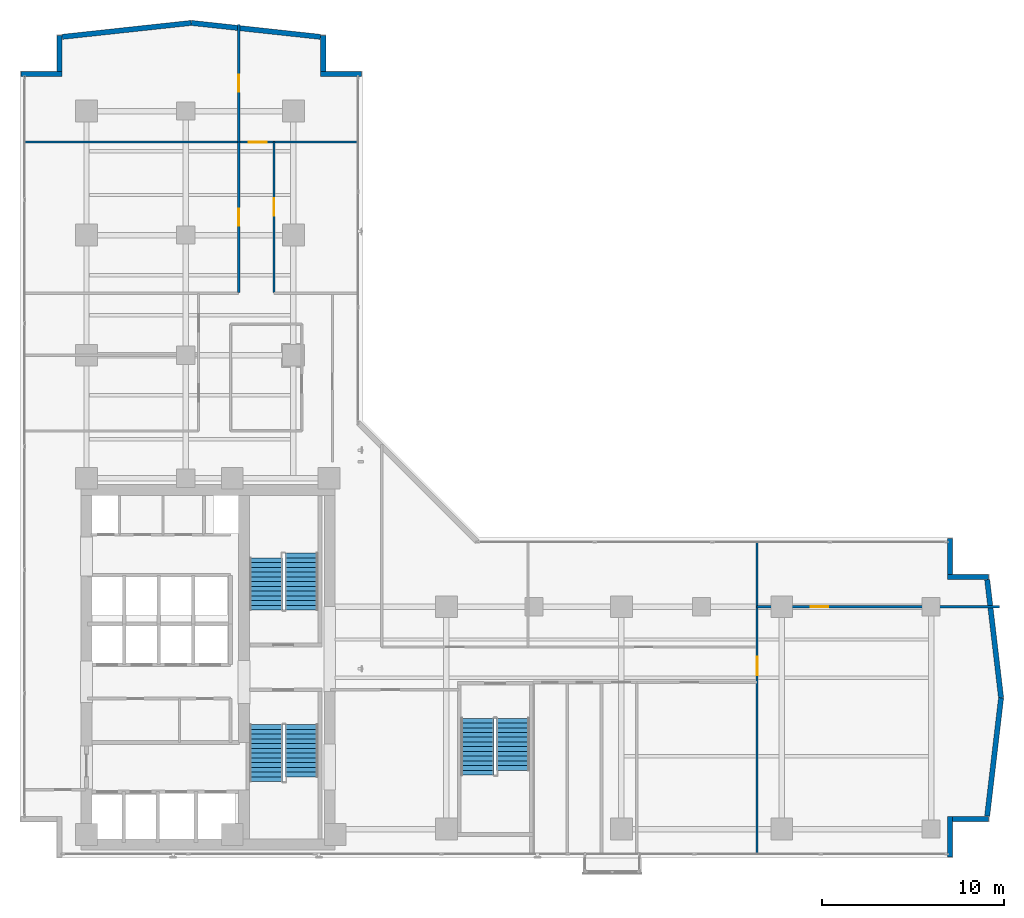
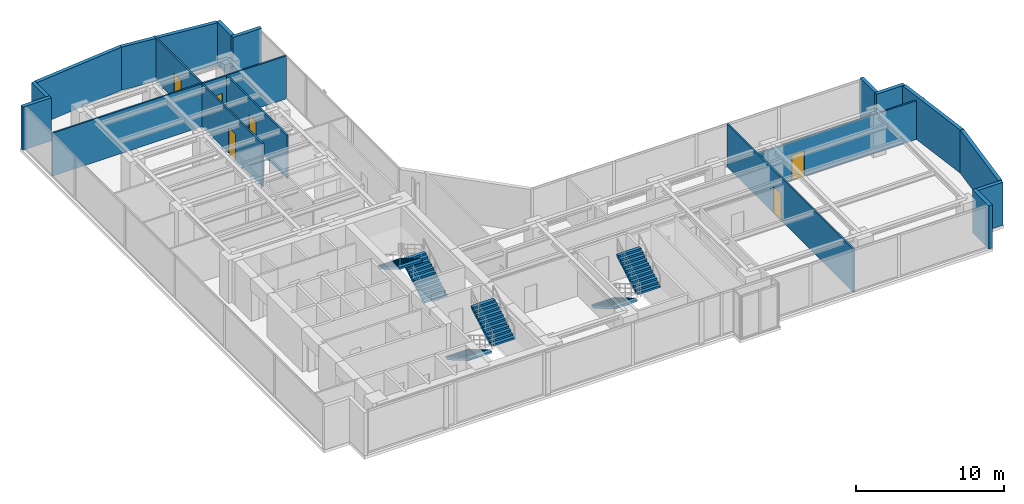
# One storey, part 22 of 27: 18 walls, 6 doors, 6 stair flights, 6 openings, 3 elements without a shape of their own.
"""IFC4 building model written with IfcOpenShell, lengths in metres."""

from ifc_helpers import new_model, si_unit, direction, frame, frame_2d, origin, place, context, subcontext, project, spatial, polyline, rectangle, outline, extrude, material, layer, layer_set, type_object, element, fill, aggregate, save


model = new_model("IFC4")

# Units and contexts
model_context = context("Model", 3, precision=1e-05, world=origin(), true_north=direction((0.0, 1.0)))
body_context = subcontext(model_context, "Body", "Model", "MODEL_VIEW")
ifc_project = project(units=[si_unit("LENGTHUNIT", "METRE"), si_unit("AREAUNIT", "SQUARE_METRE"), si_unit("VOLUMEUNIT", "CUBIC_METRE"), si_unit("PLANEANGLEUNIT", "RADIAN"), si_unit("MASSUNIT", "GRAM", prefix="KILO")], contexts=[model_context])

# Site, building, storey
site_placement = place(None, origin())
site = spatial("IfcSite", under=ifc_project, at=site_placement, CompositionType="ELEMENT")
building_placement = place(site_placement, origin())
building = spatial("IfcBuilding", under=site, at=building_placement, Name="Kolvaren Waterfront Exchange", CompositionType="ELEMENT")
storey_placement = place(building_placement, frame((0.0, 0.0, 161.39990234375)))
storey = spatial("IfcBuildingStorey", under=building, at=storey_placement, Name="L41", CompositionType="ELEMENT", Elevation=161.39990234375)

# Walls
ifc_material_1 = material(Name="Precast concrete C40/50", Category="concrete")
ifc_layer_1 = layer(ifc_material_1, 0.280029296875, Name="Precast concrete C40/50")
ifc_layer_set_1 = layer_set([ifc_layer_1], Name="Precast concrete C40/50")
wall_type_1 = type_object("IfcWallType", Name="ARC-EXT-TERR-280", PredefinedType="SOLIDWALL", material=ifc_layer_set_1)
wall_1_placement = place(storey_placement, frame((54.840087890625, 3.659912109375, 0.0), z_axis=(0.0, 0.0, 1.0), x_axis=(0.0, 1.0, 0.0)))
element("IfcWall", 1, at=wall_1_placement, inside=storey, type_object=wall_type_1, Name="L41 notched corner spandrel pier SE-A", PredefinedType="SOLIDWALL", context=body_context, shape_type="SweptSolid", body=[
    extrude(rectangle(XDim=2.239990234375, YDim=0.280029296875, at=frame_2d((1.1201171875, 0.0))), origin(), (0.0, 0.0, 1.0), 3.56005859375),
])
wall_2_placement = place(storey_placement, frame((54.97998046875, 5.760009765625, 0.0), z_axis=(0.0, 0.0, 1.0), x_axis=(1.0, 0.0, 0.0)))
element("IfcWall", 2, at=wall_2_placement, inside=storey, type_object=wall_type_1, Name="L41 notched corner spandrel pier SE-B", PredefinedType="SOLIDWALL", context=body_context, shape_type="SweptSolid", body=[
    extrude(rectangle(XDim=1.9599609375, YDim=0.280029296875, at=frame_2d((0.97998046875, 0.0))), origin(), (0.0, 0.0, 1.0), 3.56005859375),
])
wall_3_placement = place(storey_placement, frame((54.840087890625, 19.1650390625, 0.0), z_axis=(0.0, 0.0, 1.0), x_axis=(0.0, 1.0, 0.0)))
element("IfcWall", 3, at=wall_3_placement, inside=storey, type_object=wall_type_1, Name="L41 notched corner spandrel pier ENE-A", PredefinedType="SOLIDWALL", context=body_context, shape_type="SweptSolid", body=[
    extrude(rectangle(XDim=1.974853515625, YDim=0.280029296875, at=frame_2d((0.9873046875, 0.0))), origin(), (0.0, 0.0, 1.0), 3.56005859375),
])
for number, where, z_axis, x_axis, name in (
    (4, (54.699951171875, 19.0400390625, 0.0), (0.0, 0.0, 1.0), (1.0, 0.0, 0.0), "L41 notched corner spandrel pier ENE-B"),
    (5, (20.300048828125, 46.639892578125, 0.0), (0.0, 0.0, 1.0), (1.0, 0.0, 0.0), "L41 notched corner spandrel pier NNE-A"),
):
    element("IfcWall", number, at=place(storey_placement, frame(where, z_axis=z_axis, x_axis=x_axis)), inside=storey, type_object=wall_type_1, Name=name, PredefinedType="SOLIDWALL", context=body_context, shape_type="SweptSolid", body=[
        extrude(rectangle(XDim=2.239990234375, YDim=0.280029296875, at=frame_2d((1.1201171875, 0.0))), origin(), (0.0, 0.0, 1.0), 3.56005859375),
    ])
wall_4_placement = place(storey_placement, frame((20.43994140625, 46.780029296875, 0.0), z_axis=(0.0, 0.0, 1.0), x_axis=(0.0, 1.0, 0.0)))
element("IfcWall", 6, at=wall_4_placement, inside=storey, type_object=wall_type_1, Name="L41 notched corner spandrel pier NNE-B", PredefinedType="SOLIDWALL", context=body_context, shape_type="SweptSolid", body=[
    extrude(rectangle(XDim=1.9599609375, YDim=0.280029296875, at=frame_2d((0.97998046875, 0.0))), origin(), (0.0, 0.0, 1.0), 3.56005859375),
])
wall_5_placement = place(storey_placement, frame((3.860107421875, 46.639892578125, 0.0), z_axis=(0.0, 0.0, 1.0), x_axis=(1.0, 0.0, 0.0)))
element("IfcWall", 7, at=wall_5_placement, inside=storey, type_object=wall_type_1, Name="L41 notched corner spandrel pier NW-A", PredefinedType="SOLIDWALL", context=body_context, shape_type="SweptSolid", body=[
    extrude(rectangle(XDim=2.239990234375, YDim=0.280029296875, at=frame_2d((1.1201171875, 0.0))), origin(), (0.0, 0.0, 1.0), 3.56005859375),
])
wall_6_placement = place(storey_placement, frame((5.9599609375, 46.780029296875, 0.0), z_axis=(0.0, 0.0, 1.0), x_axis=(0.0, 1.0, 0.0)))
element("IfcWall", 8, at=wall_6_placement, inside=storey, type_object=wall_type_1, Name="L41 notched corner spandrel pier NW-B", PredefinedType="SOLIDWALL", context=body_context, shape_type="SweptSolid", body=[
    extrude(rectangle(XDim=1.9599609375, YDim=0.280029296875, at=frame_2d((0.97998046875, 0.0))), origin(), (0.0, 0.0, 1.0), 3.56005859375),
])
for number, where, z_axis, x_axis, name in (
    (9, (56.876220703125, 5.91650390625, 0.0), (0.0, 0.0, 1.0), (0.11685426921, 0.993149072278, 0.0), "L41 east prow faceted facade wall 1"),
    (10, (57.638916015625, 12.401123046875, 0.0), (0.0, 0.0, 1.0), (-0.11685426921, 0.993149072278, 0.0), "L41 east prow faceted facade wall 2"),
):
    element("IfcWall", number, at=place(storey_placement, frame(where, z_axis=z_axis, x_axis=x_axis)), inside=storey, type_object=wall_type_1, Name=name, PredefinedType="SOLIDWALL", context=body_context, shape_type="SweptSolid", body=[
        extrude(rectangle(XDim=6.52685546875, YDim=0.280029296875, at=frame_2d((3.263427734375, 0.0))), origin(), (0.0, 0.0, 1.0), 3.56005859375),
    ])
for number, where, z_axis, x_axis, name in (
    (11, (20.284423828125, 48.673095703125, 0.0), (0.0, 0.0, 1.0), (-0.994206651606, 0.107485505548, 0.0), "L41 north prow faceted facade wall 1"),
    (12, (13.197265625, 49.438720703125, 0.0), (0.0, 0.0, 1.0), (-0.994206651606, -0.107485505548, 0.0), "L41 north prow faceted facade wall 2"),
):
    element("IfcWall", number, at=place(storey_placement, frame(where, z_axis=z_axis, x_axis=x_axis)), inside=storey, type_object=wall_type_1, Name=name, PredefinedType="SOLIDWALL", context=body_context, shape_type="SweptSolid", body=[
        extrude(rectangle(XDim=7.123046875, YDim=0.280029296875, at=frame_2d((3.5615234375, 0.0))), origin(), (0.0, 0.0, 1.0), 3.56005859375),
    ])

# Wall, opening, door
ifc_material_2 = material(Name="Acoustic gypsum steel stud", Category="steel")
ifc_layer_2 = layer(ifc_material_2, 0.125, Name="Acoustic gypsum steel stud")
ifc_layer_set_2 = layer_set([ifc_layer_2], Name="Acoustic gypsum steel stud")
wall_type_2 = type_object("IfcWallType", Name="ARC-PART-125", PredefinedType="PARTITIONING", material=ifc_layer_set_2)
wall_7_placement = place(storey_placement, frame((44.25, 3.840087890625, 0.0), z_axis=(0.0, 0.0, 1.0), x_axis=(0.0, 1.0, 0.0)))
wall_7 = element("IfcWall", 13, at=wall_7_placement, inside=storey, type_object=wall_type_2, Name="L41 interior wall PW-L41-ETIP-W", PredefinedType="PARTITIONING", context=body_context, shape_type="SweptSolid", body=[
    extrude(rectangle(XDim=17.119873046875, YDim=0.125, at=frame_2d((8.56005859375, 0.0))), origin(), (0.0, 0.0, 1.0), 3.56005859375),
])
opening_1_placement = place(wall_7_placement, frame((9.81005859375, 0.0, 0.0)))
opening_1 = element("IfcOpeningElement", 14, at=opening_1_placement, cuts=wall_7, Name="Opening D03", PredefinedType="OPENING", context=body_context, shape_type="SweptSolid", body=[
    extrude(rectangle(XDim=1.0, YDim=2.199951171875, at=frame_2d((0.5, 1.10009765625))), frame((0.0, 0.072509765625, 0.0), z_axis=(0.0, -1.0, 0.0), x_axis=(1.0, 0.0, 0.0)), (0.0, 0.0, 1.0), 0.14501953125),
])
ifc_material_3 = material(Name="Oak veneer accessible timber", Category="wood")
door_type_1 = type_object("IfcDoorType", Name="ARC-DR-1000", OperationType="NOTDEFINED", PredefinedType="DOOR", material=ifc_material_3)
door_1_placement = place(opening_1_placement, origin())
door_1 = element("IfcDoor", 15, at=door_1_placement, inside=storey, type_object=door_type_1, Name="L41 door DR-L41-ETIP1-D (D03)", OperationType="SINGLE_SWING_RIGHT", OverallHeight=2.199951171875, OverallWidth=1.0, PredefinedType="DOOR", context=body_context, shape_type="SweptSolid", body=[
    extrude(rectangle(XDim=1.0, YDim=2.199951171875, at=frame_2d((0.5, 1.10009765625))), frame((0.0, 0.02490234375, 0.0), z_axis=(0.0, -1.0, 0.0), x_axis=(1.0, 0.0, 0.0)), (0.0, 0.0, 1.0), 0.050048828125),
])
fill(opening_1, door_1)

wall_8_placement = place(storey_placement, frame((44.25, 17.39990234375, 0.0), z_axis=(0.0, 0.0, 1.0), x_axis=(1.0, 0.0, 0.0)))
wall_8 = element("IfcWall", 16, at=wall_8_placement, inside=storey, type_object=wall_type_2, Name="L41 interior wall PW-L41-ETIP-MID", PredefinedType="PARTITIONING", context=body_context, shape_type="SweptSolid", body=[
    extrude(rectangle(XDim=13.31005859375, YDim=0.125, at=frame_2d((6.655029296875, 0.0))), origin(), (0.0, 0.0, 1.0), 3.2001953125),
])
opening_2_placement = place(wall_8_placement, frame((2.949951171875, 0.0, 0.0)))
opening_2 = element("IfcOpeningElement", 17, at=opening_2_placement, cuts=wall_8, Name="Opening D02", PredefinedType="OPENING", context=body_context, shape_type="SweptSolid", body=[
    extrude(rectangle(XDim=0.949951171875, YDim=2.14990234375, at=frame_2d((0.47509765625, 1.074951171875))), frame((0.0, 0.072509765625, 0.0), z_axis=(0.0, -1.0, 0.0), x_axis=(1.0, 0.0, 0.0)), (0.0, 0.0, 1.0), 0.14501953125),
])
ifc_material_4 = material(Name="Oak veneer acoustic timber", Category="wood")
door_type_2 = type_object("IfcDoorType", Name="ARC-DR-950", OperationType="NOTDEFINED", PredefinedType="DOOR", material=ifc_material_4)
door_2_placement = place(opening_2_placement, origin())
door_2 = element("IfcDoor", 18, at=door_2_placement, inside=storey, type_object=door_type_2, Name="L41 door DR-L41-ETIP2-D (D02)", OperationType="SINGLE_SWING_LEFT", OverallHeight=2.14990234375, OverallWidth=0.949951171875, PredefinedType="DOOR", context=body_context, shape_type="SweptSolid", body=[
    extrude(rectangle(XDim=0.949951171875, YDim=2.14990234375, at=frame_2d((0.47509765625, 1.074951171875))), frame((0.0, 0.02490234375, 0.0), z_axis=(0.0, -1.0, 0.0), x_axis=(1.0, 0.0, 0.0)), (0.0, 0.0, 1.0), 0.050048828125),
])
fill(opening_2, door_2)

wall_9_placement = place(storey_placement, frame((15.800048828125, 34.64990234375, 0.0), z_axis=(0.0, 0.0, 1.0), x_axis=(0.0, 1.0, 0.0)))
wall_9 = element("IfcWall", 19, at=wall_9_placement, inside=storey, type_object=wall_type_2, Name="L41 interior wall PW-L41-NW-CORR", PredefinedType="PARTITIONING", context=body_context, shape_type="SweptSolid", body=[
    extrude(rectangle(XDim=8.25, YDim=0.125, at=frame_2d((4.125, 0.0))), origin(), (0.0, 0.0, 1.0), 3.56005859375),
])
opening_3_placement = place(wall_9_placement, frame((3.64990234375, 0.0, 0.0)))
opening_3 = element("IfcOpeningElement", 20, at=opening_3_placement, cuts=wall_9, Name="Opening D02", PredefinedType="OPENING", context=body_context, shape_type="SweptSolid", body=[
    extrude(rectangle(XDim=0.949951171875, YDim=2.14990234375, at=frame_2d((0.47509765625, 1.074951171875))), frame((0.0, 0.072509765625, 0.0), z_axis=(0.0, -1.0, 0.0), x_axis=(1.0, 0.0, 0.0)), (0.0, 0.0, 1.0), 0.14501953125),
])
door_3_placement = place(opening_3_placement, origin())
door_3 = element("IfcDoor", 21, at=door_3_placement, inside=storey, type_object=door_type_2, Name="L41 door DR-L41-NW-D-1 (D02)", OperationType="SINGLE_SWING_RIGHT", OverallHeight=2.14990234375, OverallWidth=0.949951171875, PredefinedType="DOOR", context=body_context, shape_type="SweptSolid", body=[
    extrude(rectangle(XDim=0.949951171875, YDim=2.14990234375, at=frame_2d((0.47509765625, 1.074951171875))), frame((0.0, 0.02490234375, 0.0), z_axis=(0.0, -1.0, 0.0), x_axis=(1.0, 0.0, 0.0)), (0.0, 0.0, 1.0), 0.050048828125),
])
fill(opening_3, door_3)

wall_10_placement = place(storey_placement, frame((4.0400390625, 42.89990234375, 0.0), z_axis=(0.0, 0.0, 1.0), x_axis=(1.0, 0.0, 0.0)))
wall_10 = element("IfcWall", 22, at=wall_10_placement, inside=storey, type_object=wall_type_2, Name="L41 interior wall PW-L41-NTIP-S", PredefinedType="PARTITIONING", context=body_context, shape_type="SweptSolid", body=[
    extrude(rectangle(XDim=18.320068359375, YDim=0.125, at=frame_2d((9.16015625, 0.0))), origin(), (0.0, 0.0, 1.0), 3.56005859375),
])
opening_4_placement = place(wall_10_placement, frame((12.300048828125, 0.0, 0.0)))
opening_4 = element("IfcOpeningElement", 23, at=opening_4_placement, cuts=wall_10, Name="Opening D03", PredefinedType="OPENING", context=body_context, shape_type="SweptSolid", body=[
    extrude(rectangle(XDim=1.0, YDim=2.199951171875, at=frame_2d((0.5, 1.10009765625))), frame((0.0, 0.072509765625, 0.0), z_axis=(0.0, -1.0, 0.0), x_axis=(1.0, 0.0, 0.0)), (0.0, 0.0, 1.0), 0.14501953125),
])
door_4_placement = place(opening_4_placement, origin())
door_4 = element("IfcDoor", 24, at=door_4_placement, inside=storey, type_object=door_type_1, Name="L41 door DR-L41-NTIPE-D (D03)", OperationType="SINGLE_SWING_LEFT", OverallHeight=2.199951171875, OverallWidth=1.0, PredefinedType="DOOR", context=body_context, shape_type="SweptSolid", body=[
    extrude(rectangle(XDim=1.0, YDim=2.199951171875, at=frame_2d((0.5, 1.10009765625))), frame((0.0, 0.02490234375, 0.0), z_axis=(0.0, -1.0, 0.0), x_axis=(1.0, 0.0, 0.0)), (0.0, 0.0, 1.0), 0.050048828125),
])
fill(opening_4, door_4)

wall_11_placement = place(storey_placement, frame((15.800048828125, 42.89990234375, 0.0), z_axis=(0.0, 0.0, 1.0), x_axis=(0.0, 1.0, 0.0)))
wall_11 = element("IfcWall", 25, at=wall_11_placement, inside=storey, type_object=wall_type_2, Name="L41 interior wall PW-L41-NTIP-DIV", PredefinedType="PARTITIONING", context=body_context, shape_type="SweptSolid", body=[
    extrude(rectangle(XDim=6.460205078125, YDim=0.125, at=frame_2d((3.22998046875, 0.0))), origin(), (0.0, 0.0, 1.0), 3.56005859375),
])
opening_5_placement = place(wall_11_placement, frame((2.75, 0.0, 0.0)))
opening_5 = element("IfcOpeningElement", 26, at=opening_5_placement, cuts=wall_11, Name="Opening D02", PredefinedType="OPENING", context=body_context, shape_type="SweptSolid", body=[
    extrude(rectangle(XDim=0.949951171875, YDim=2.14990234375, at=frame_2d((0.47509765625, 1.074951171875))), frame((0.0, 0.072509765625, 0.0), z_axis=(0.0, -1.0, 0.0), x_axis=(1.0, 0.0, 0.0)), (0.0, 0.0, 1.0), 0.14501953125),
])
door_5_placement = place(opening_5_placement, origin())
door_5 = element("IfcDoor", 27, at=door_5_placement, inside=storey, type_object=door_type_2, Name="L41 door DR-L41-NTIPW-D (D02)", OperationType="SINGLE_SWING_RIGHT", OverallHeight=2.14990234375, OverallWidth=0.949951171875, PredefinedType="DOOR", context=body_context, shape_type="SweptSolid", body=[
    extrude(rectangle(XDim=0.949951171875, YDim=2.14990234375, at=frame_2d((0.47509765625, 1.074951171875))), frame((0.0, 0.02490234375, 0.0), z_axis=(0.0, -1.0, 0.0), x_axis=(1.0, 0.0, 0.0)), (0.0, 0.0, 1.0), 0.050048828125),
])
fill(opening_5, door_5)

wall_12_placement = place(storey_placement, frame((17.739990234375, 34.64990234375, 0.0), z_axis=(0.0, 0.0, 1.0), x_axis=(0.0, 1.0, 0.0)))
wall_12 = element("IfcWall", 28, at=wall_12_placement, inside=storey, type_object=wall_type_2, Name="L41 interior wall PW-L41-NE-CORR", PredefinedType="PARTITIONING", context=body_context, shape_type="SweptSolid", body=[
    extrude(rectangle(XDim=8.25, YDim=0.125, at=frame_2d((4.125, 0.0))), origin(), (0.0, 0.0, 1.0), 3.56005859375),
])
opening_6_placement = place(wall_12_placement, frame((4.215087890625, 0.0, 0.0)))
opening_6 = element("IfcOpeningElement", 29, at=opening_6_placement, cuts=wall_12, Name="Opening D02", PredefinedType="OPENING", context=body_context, shape_type="SweptSolid", body=[
    extrude(rectangle(XDim=0.949951171875, YDim=2.14990234375, at=frame_2d((0.47509765625, 1.074951171875))), frame((0.0, 0.072509765625, 0.0), z_axis=(0.0, -1.0, 0.0), x_axis=(1.0, 0.0, 0.0)), (0.0, 0.0, 1.0), 0.14501953125),
])
door_6_placement = place(opening_6_placement, origin())
door_6 = element("IfcDoor", 30, at=door_6_placement, inside=storey, type_object=door_type_2, Name="L41 door DR-L41-NE-D-1 (D02)", OperationType="SINGLE_SWING_LEFT", OverallHeight=2.14990234375, OverallWidth=0.949951171875, PredefinedType="DOOR", context=body_context, shape_type="SweptSolid", body=[
    extrude(rectangle(XDim=0.949951171875, YDim=2.14990234375, at=frame_2d((0.47509765625, 1.074951171875))), frame((0.0, 0.02490234375, 0.0), z_axis=(0.0, -1.0, 0.0), x_axis=(1.0, 0.0, 0.0)), (0.0, 0.0, 1.0), 0.050048828125),
])
fill(opening_6, door_6)

# Stair, stair flights
ifc_material_5 = material(Name="Concrete C40/50", Category="concrete")
stair_type = type_object("IfcStairType", Name="ARC-STAIR-3800", PredefinedType="HALF_TURN_STAIR", material=ifc_material_5)
stair_1_placement = place(storey_placement, origin())
stair_1 = element("IfcStair", 31, at=stair_1_placement, inside=storey, type_object=stair_type, Name="L41 Smoke-proof exit stair ST1", PredefinedType="HALF_TURN_STAIR")
stair_flight_type = type_object("IfcStairFlightType", Name="ARC-FLIGHT-3800", PredefinedType="STRAIGHT", material=ifc_material_5)
stair_flight_1_placement = place(storey_placement, frame((17.300048828125, 10.929931640625, 0.0), z_axis=(0.0, 0.0, 1.0), x_axis=(0.0, -1.0, 0.0)))
stair_flight_1 = element("IfcStairFlight", 32, at=stair_flight_1_placement, type_object=stair_flight_type, Name="ST1 flight 1", NumberOfRisers=13, NumberOfTreads=12, PredefinedType="STRAIGHT", RiserHeight=0.152, TreadLength=0.26, context=body_context, shape_type="SweptSolid", body=[
    extrude(outline(polyline([(0.0, 0.0), (0.0, 0.152099609375), (0.260009765625, 0.152099609375), (0.260009765625, 0.303955078125), (0.52001953125, 0.303955078125), (0.52001953125, 0.4560546875), (0.780029296875, 0.4560546875), (0.780029296875, 0.60791015625), (1.0400390625, 0.60791015625), (1.0400390625, 0.760009765625), (1.300048828125, 0.760009765625), (1.300048828125, 0.912109375), (1.56005859375, 0.912109375), (1.56005859375, 1.06396484375), (1.820068359375, 1.06396484375), (1.820068359375, 1.216064453125), (2.080078125, 1.216064453125), (2.080078125, 1.367919921875), (2.340087890625, 1.367919921875), (2.340087890625, 1.52001953125), (2.60009765625, 1.52001953125), (2.60009765625, 1.672119140625), (2.860107421875, 1.672119140625), (2.860107421875, 1.823974609375), (3.1201171875, 1.823974609375), (3.1201171875, 1.97607421875), (3.1201171875, 1.650390625), (0.297119140625, 0.0), (0.0, 0.0)])), frame((0.0, 0.89990234375, 0.0), z_axis=(0.0, -1.0, 0.0), x_axis=(1.0, 0.0, 0.0)), (0.0, 0.0, 1.0), 1.800048828125),
])
stair_flight_2_placement = place(storey_placement, frame((19.260009765625, 8.070068359375, 1.97607421875), z_axis=(0.0, 0.0, 1.0), x_axis=(0.0, 1.0, 0.0)))
stair_flight_2 = element("IfcStairFlight", 33, at=stair_flight_2_placement, type_object=stair_flight_type, Name="ST1 flight 2", NumberOfRisers=12, NumberOfTreads=11, PredefinedType="STRAIGHT", RiserHeight=0.152, TreadLength=0.26, context=body_context, shape_type="SweptSolid", body=[
    extrude(outline(polyline([(0.0, 0.0), (0.0, 0.152099609375), (0.260009765625, 0.152099609375), (0.260009765625, 0.303955078125), (0.52001953125, 0.303955078125), (0.52001953125, 0.4560546875), (0.780029296875, 0.4560546875), (0.780029296875, 0.60791015625), (1.0400390625, 0.60791015625), (1.0400390625, 0.760009765625), (1.300048828125, 0.760009765625), (1.300048828125, 0.912109375), (1.56005859375, 0.912109375), (1.56005859375, 1.06396484375), (1.820068359375, 1.06396484375), (1.820068359375, 1.216064453125), (2.080078125, 1.216064453125), (2.080078125, 1.367919921875), (2.340087890625, 1.367919921875), (2.340087890625, 1.52001953125), (2.60009765625, 1.52001953125), (2.60009765625, 1.672119140625), (2.860107421875, 1.672119140625), (2.860107421875, 1.823974609375), (2.860107421875, 1.498291015625), (0.297119140625, 0.0), (0.0, 0.0)])), frame((0.0, 0.89990234375, 0.0), z_axis=(0.0, -1.0, 0.0), x_axis=(1.0, 0.0, 0.0)), (0.0, 0.0, 1.0), 1.800048828125),
])
aggregate(stair_1, [stair_flight_1, stair_flight_2])

stair_2_placement = place(storey_placement, origin())
stair_2 = element("IfcStair", 34, at=stair_2_placement, inside=storey, type_object=stair_type, Name="L41 Smoke-proof exit stair ST2", PredefinedType="HALF_TURN_STAIR")
stair_flight_3_placement = place(storey_placement, frame((19.260009765625, 17.219970703125, 0.0), z_axis=(0.0, 0.0, 1.0), x_axis=(0.0, 1.0, 0.0)))
stair_flight_3 = element("IfcStairFlight", 35, at=stair_flight_3_placement, type_object=stair_flight_type, Name="ST2 flight 1", NumberOfRisers=13, NumberOfTreads=12, PredefinedType="STRAIGHT", RiserHeight=0.152, TreadLength=0.26, context=body_context, shape_type="SweptSolid", body=[
    extrude(outline(polyline([(0.0, 0.0), (0.0, 0.152099609375), (0.260009765625, 0.152099609375), (0.260009765625, 0.303955078125), (0.52001953125, 0.303955078125), (0.52001953125, 0.4560546875), (0.780029296875, 0.4560546875), (0.780029296875, 0.60791015625), (1.0400390625, 0.60791015625), (1.0400390625, 0.760009765625), (1.300048828125, 0.760009765625), (1.300048828125, 0.912109375), (1.56005859375, 0.912109375), (1.56005859375, 1.06396484375), (1.820068359375, 1.06396484375), (1.820068359375, 1.216064453125), (2.080078125, 1.216064453125), (2.080078125, 1.367919921875), (2.340087890625, 1.367919921875), (2.340087890625, 1.52001953125), (2.60009765625, 1.52001953125), (2.60009765625, 1.672119140625), (2.860107421875, 1.672119140625), (2.860107421875, 1.823974609375), (3.1201171875, 1.823974609375), (3.1201171875, 1.97607421875), (3.1201171875, 1.650390625), (0.297119140625, 0.0), (0.0, 0.0)])), frame((0.0, 0.89990234375, 0.0), z_axis=(0.0, -1.0, 0.0), x_axis=(1.0, 0.0, 0.0)), (0.0, 0.0, 1.0), 1.800048828125),
])
stair_flight_4_placement = place(storey_placement, frame((17.300048828125, 20.080078125, 1.97607421875), z_axis=(0.0, 0.0, 1.0), x_axis=(0.0, -1.0, 0.0)))
stair_flight_4 = element("IfcStairFlight", 36, at=stair_flight_4_placement, type_object=stair_flight_type, Name="ST2 flight 2", NumberOfRisers=12, NumberOfTreads=11, PredefinedType="STRAIGHT", RiserHeight=0.152, TreadLength=0.26, context=body_context, shape_type="SweptSolid", body=[
    extrude(outline(polyline([(0.0, 0.0), (0.0, 0.152099609375), (0.260009765625, 0.152099609375), (0.260009765625, 0.303955078125), (0.52001953125, 0.303955078125), (0.52001953125, 0.4560546875), (0.780029296875, 0.4560546875), (0.780029296875, 0.60791015625), (1.0400390625, 0.60791015625), (1.0400390625, 0.760009765625), (1.300048828125, 0.760009765625), (1.300048828125, 0.912109375), (1.56005859375, 0.912109375), (1.56005859375, 1.06396484375), (1.820068359375, 1.06396484375), (1.820068359375, 1.216064453125), (2.080078125, 1.216064453125), (2.080078125, 1.367919921875), (2.340087890625, 1.367919921875), (2.340087890625, 1.52001953125), (2.60009765625, 1.52001953125), (2.60009765625, 1.672119140625), (2.860107421875, 1.672119140625), (2.860107421875, 1.823974609375), (2.860107421875, 1.498291015625), (0.297119140625, 0.0), (0.0, 0.0)])), frame((0.0, 0.89990234375, 0.0), z_axis=(0.0, -1.0, 0.0), x_axis=(1.0, 0.0, 0.0)), (0.0, 0.0, 1.0), 1.800048828125),
])
aggregate(stair_2, [stair_flight_3, stair_flight_4])

stair_3_placement = place(storey_placement, origin())
stair_3 = element("IfcStair", 37, at=stair_3_placement, inside=storey, type_object=stair_type, Name="L41 Exit stair ST3", PredefinedType="HALF_TURN_STAIR")
stair_flight_5_placement = place(storey_placement, frame((28.89990234375, 11.280029296875, 0.0), z_axis=(0.0, 0.0, 1.0), x_axis=(0.0, -1.0, 0.0)))
stair_flight_5 = element("IfcStairFlight", 38, at=stair_flight_5_placement, type_object=stair_flight_type, Name="ST3 flight 1", NumberOfRisers=13, NumberOfTreads=12, PredefinedType="STRAIGHT", RiserHeight=0.152, TreadLength=0.26, context=body_context, shape_type="SweptSolid", body=[
    extrude(outline(polyline([(0.0, 0.0), (0.0, 0.152099609375), (0.260009765625, 0.152099609375), (0.260009765625, 0.303955078125), (0.52001953125, 0.303955078125), (0.52001953125, 0.4560546875), (0.780029296875, 0.4560546875), (0.780029296875, 0.60791015625), (1.0400390625, 0.60791015625), (1.0400390625, 0.760009765625), (1.300048828125, 0.760009765625), (1.300048828125, 0.912109375), (1.56005859375, 0.912109375), (1.56005859375, 1.06396484375), (1.820068359375, 1.06396484375), (1.820068359375, 1.216064453125), (2.080078125, 1.216064453125), (2.080078125, 1.367919921875), (2.340087890625, 1.367919921875), (2.340087890625, 1.52001953125), (2.60009765625, 1.52001953125), (2.60009765625, 1.672119140625), (2.860107421875, 1.672119140625), (2.860107421875, 1.823974609375), (3.1201171875, 1.823974609375), (3.1201171875, 1.97607421875), (3.1201171875, 1.650390625), (0.297119140625, 0.0), (0.0, 0.0)])), frame((0.0, 0.89990234375, 0.0), z_axis=(0.0, -1.0, 0.0), x_axis=(1.0, 0.0, 0.0)), (0.0, 0.0, 1.0), 1.800048828125),
])
stair_flight_6_placement = place(storey_placement, frame((30.860107421875, 8.419921875, 1.97607421875), z_axis=(0.0, 0.0, 1.0), x_axis=(0.0, 1.0, 0.0)))
stair_flight_6 = element("IfcStairFlight", 39, at=stair_flight_6_placement, type_object=stair_flight_type, Name="ST3 flight 2", NumberOfRisers=12, NumberOfTreads=11, PredefinedType="STRAIGHT", RiserHeight=0.152, TreadLength=0.26, context=body_context, shape_type="SweptSolid", body=[
    extrude(outline(polyline([(0.0, 0.0), (0.0, 0.152099609375), (0.260009765625, 0.152099609375), (0.260009765625, 0.303955078125), (0.52001953125, 0.303955078125), (0.52001953125, 0.4560546875), (0.780029296875, 0.4560546875), (0.780029296875, 0.60791015625), (1.0400390625, 0.60791015625), (1.0400390625, 0.760009765625), (1.300048828125, 0.760009765625), (1.300048828125, 0.912109375), (1.56005859375, 0.912109375), (1.56005859375, 1.06396484375), (1.820068359375, 1.06396484375), (1.820068359375, 1.216064453125), (2.080078125, 1.216064453125), (2.080078125, 1.367919921875), (2.340087890625, 1.367919921875), (2.340087890625, 1.52001953125), (2.60009765625, 1.52001953125), (2.60009765625, 1.672119140625), (2.860107421875, 1.672119140625), (2.860107421875, 1.823974609375), (2.860107421875, 1.498291015625), (0.297119140625, 0.0), (0.0, 0.0)])), frame((0.0, 0.89990234375, 0.0), z_axis=(0.0, -1.0, 0.0), x_axis=(1.0, 0.0, 0.0)), (0.0, 0.0, 1.0), 1.800048828125),
])
aggregate(stair_3, [stair_flight_5, stair_flight_6])

save(model, "model.ifc")
